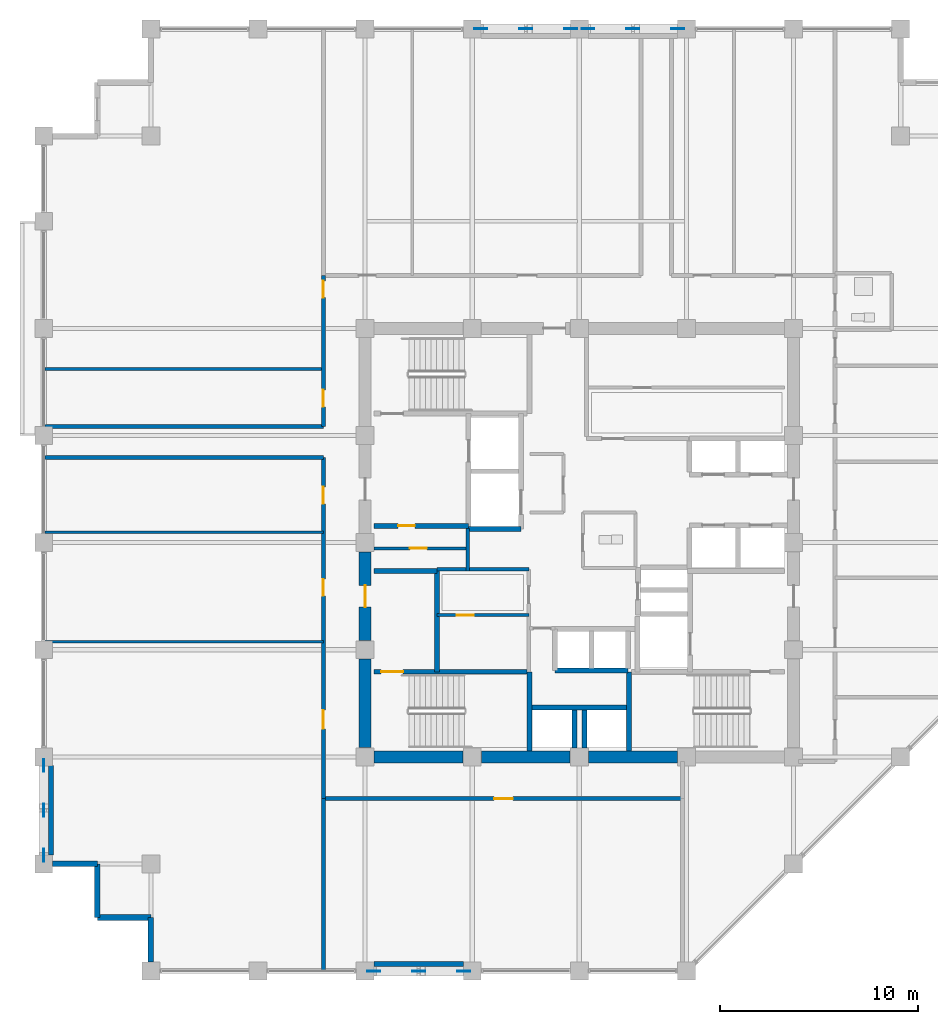
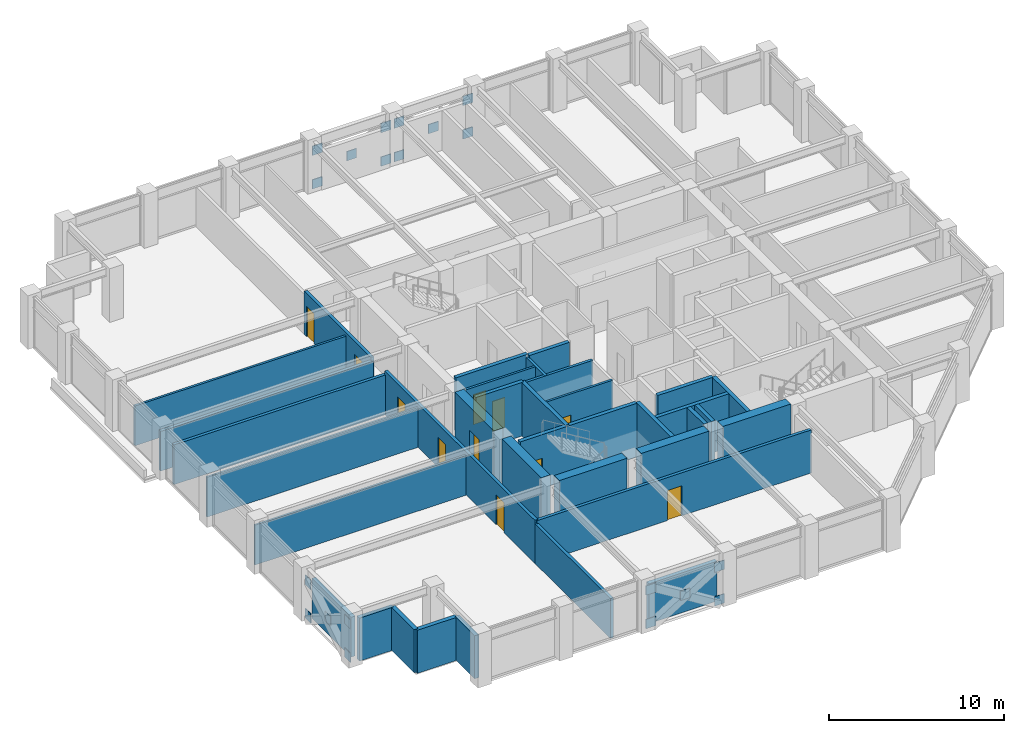
# One storey, part 26 of 31: 35 walls, 20 plates, 11 doors, 11 openings.
"""IFC4 building model written with IfcOpenShell, lengths in metres."""

from ifc_helpers import new_model, si_unit, direction, frame, frame_2d, origin, origin_2d, place, context, subcontext, project, spatial, rectangle, extrude, material, layer, layer_set, type_object, element, fill, save


model = new_model("IFC4")

# Units and contexts
model_context = context("Model", 3, precision=1e-05, world=origin(), true_north=direction((0.0, 1.0)))
body_context = subcontext(model_context, "Body", "Model", "MODEL_VIEW")
ifc_project = project(units=[si_unit("LENGTHUNIT", "METRE"), si_unit("AREAUNIT", "SQUARE_METRE"), si_unit("VOLUMEUNIT", "CUBIC_METRE"), si_unit("PLANEANGLEUNIT", "RADIAN"), si_unit("MASSUNIT", "GRAM", prefix="KILO")], contexts=[model_context])

# Site, building, storey
site_placement = place(None, origin())
site = spatial("IfcSite", under=ifc_project, at=site_placement, CompositionType="ELEMENT")
building_placement = place(site_placement, origin())
building = spatial("IfcBuilding", under=site, at=building_placement, Name="Surkhivell Harbour Commons", CompositionType="ELEMENT")
storey_placement = place(building_placement, frame((0.0, 0.0, 193.5)))
storey = spatial("IfcBuildingStorey", under=building, at=storey_placement, Name="L50", CompositionType="ELEMENT", Elevation=193.5)

# Plates
ifc_material_1 = material(Name="Steel S460", Category="steel")
ifc_layer_1 = layer(ifc_material_1, 0.044921875)
ifc_layer_set_1 = layer_set([ifc_layer_1], Name="Steel S460")
plate_type = type_object("IfcPlateType", Name="PLT-GUS-650", PredefinedType="USERDEFINED", material=ifc_layer_set_1)
for number, where, z_axis, x_axis, name in (
    (1, (-4.965087890625, 25.89990234375, -0.08935546875), (0.0, 0.0, 1.0), (1.0, 0.0, 0.0), "L50 Perimeter Mega-Brace MB- Corner Gusset N-1"),
    (2, (-0.43505859375, 25.89990234375, -0.08935546875), (0.0, 0.0, 1.0), (1.0, 0.0, 0.0), "L50 Perimeter Mega-Brace MB- Corner Gusset N-2"),
    (3, (-4.965087890625, 25.89990234375, 2.25146484375), (0.0, 0.0, 1.0), (1.0, 0.0, 0.0), "L50 Perimeter Mega-Brace MB- Corner Gusset N-3"),
    (4, (-0.43505859375, 25.89990234375, 2.25146484375), (0.0, 0.0, 1.0), (1.0, 0.0, 0.0), "L50 Perimeter Mega-Brace MB- Corner Gusset N-4"),
    (5, (-2.699951171875, 25.89990234375, 1.0810546875), (0.0, 0.0, 1.0), (1.0, 0.0, 0.0), "L50 Perimeter Mega-Brace MB- Central Crossing Gusset N"),
    (6, (0.43505859375, 25.89990234375, -0.08935546875), (0.0, 0.0, 1.0), (1.0, 0.0, 0.0), "L50 Perimeter Mega-Brace MB- Corner Gusset N2-1"),
    (7, (4.965087890625, 25.89990234375, -0.08935546875), (0.0, 0.0, 1.0), (1.0, 0.0, 0.0), "L50 Perimeter Mega-Brace MB- Corner Gusset N2-2"),
    (8, (0.43505859375, 25.89990234375, 2.25146484375), (0.0, 0.0, 1.0), (1.0, 0.0, 0.0), "L50 Perimeter Mega-Brace MB- Corner Gusset N2-3"),
    (9, (4.965087890625, 25.89990234375, 2.25146484375), (0.0, 0.0, 1.0), (1.0, 0.0, 0.0), "L50 Perimeter Mega-Brace MB- Corner Gusset N2-4"),
    (10, (2.699951171875, 25.89990234375, 1.0810546875), (0.0, 0.0, 1.0), (1.0, 0.0, 0.0), "L50 Perimeter Mega-Brace MB- Central Crossing Gusset N2"),
    (11, (-10.364990234375, -21.60009765625, -0.08935546875), (0.0, 0.0, 1.0), (1.0, 0.0, 0.0), "L50 Perimeter Mega-Brace MB- Corner Gusset S-1"),
    (12, (-5.8349609375, -21.60009765625, -0.08935546875), (0.0, 0.0, 1.0), (1.0, 0.0, 0.0), "L50 Perimeter Mega-Brace MB- Corner Gusset S-2"),
    (13, (-10.364990234375, -21.60009765625, 2.25146484375), (0.0, 0.0, 1.0), (1.0, 0.0, 0.0), "L50 Perimeter Mega-Brace MB- Corner Gusset S-3"),
    (14, (-5.8349609375, -21.60009765625, 2.25146484375), (0.0, 0.0, 1.0), (1.0, 0.0, 0.0), "L50 Perimeter Mega-Brace MB- Corner Gusset S-4"),
    (15, (-8.10009765625, -21.60009765625, 1.0810546875), (0.0, 0.0, 1.0), (1.0, 0.0, 0.0), "L50 Perimeter Mega-Brace MB- Central Crossing Gusset S"),
    (16, (-27.0, -15.764892578125, -0.08935546875), (0.0, 0.0, 1.0), (0.0, 1.0, 0.0), "L50 Perimeter Mega-Brace MB- Corner Gusset W-1"),
    (17, (-27.0, -11.235107421875, -0.08935546875), (0.0, 0.0, 1.0), (0.0, 1.0, 0.0), "L50 Perimeter Mega-Brace MB- Corner Gusset W-2"),
    (18, (-27.0, -15.764892578125, 2.25146484375), (0.0, 0.0, 1.0), (0.0, 1.0, 0.0), "L50 Perimeter Mega-Brace MB- Corner Gusset W-3"),
    (19, (-27.0, -11.235107421875, 2.25146484375), (0.0, 0.0, 1.0), (0.0, 1.0, 0.0), "L50 Perimeter Mega-Brace MB- Corner Gusset W-4"),
    (20, (-27.0, -13.5, 1.0810546875), (0.0, 0.0, 1.0), (0.0, 1.0, 0.0), "L50 Perimeter Mega-Brace MB- Central Crossing Gusset W"),
):
    element("IfcPlate", number, at=place(storey_placement, frame(where, z_axis=z_axis, x_axis=x_axis)), inside=storey, type_object=plate_type, Name=name, ObjectType="GUSSET_PLATE", PredefinedType="USERDEFINED", context=body_context, shape_type="SweptSolid", body=[
        extrude(rectangle(XDim=0.64990234375, YDim=0.044921875, at=origin_2d()), origin(), (0.0, 0.0, 1.0), 0.64990234375),
    ])

# Walls
ifc_material_2 = material(Name="Concrete C60/75", Category="concrete")
ifc_layer_2 = layer(ifc_material_2, 0.60009765625)
ifc_layer_set_2 = layer_set([ifc_layer_2], Name="Concrete C60/75")
wall_type_1 = type_object("IfcWallType", Name="WAL-CORE-600", PredefinedType="SHEAR", material=ifc_layer_set_2)
for number, where, z_axis, x_axis, name in (
    (21, (-10.340087890625, -10.800048828125, 0.0), (0.0, 0.0, 1.0), (1.0, 0.0, 0.0), "L50 Core Shear Wall South 1"),
    (22, (-10.800048828125, -10.340087890625, 0.0), (0.0, 0.0, 1.0), (0.0, 1.0, 0.0), "L50 Core Shear Wall West 1"),
    (23, (-4.93994140625, -10.800048828125, 0.0), (0.0, 0.0, 1.0), (1.0, 0.0, 0.0), "L50 Core Shear Wall South 2"),
):
    element("IfcWall", number, at=place(storey_placement, frame(where, z_axis=z_axis, x_axis=x_axis)), inside=storey, type_object=wall_type_1, Name=name, PredefinedType="SHEAR", context=body_context, shape_type="SweptSolid", body=[
        extrude(rectangle(XDim=4.47998046875, YDim=0.60009765625, at=frame_2d((2.239990234375, 0.0))), origin(), (0.0, 0.0, 1.0), 3.75),
    ])

# Wall, opening, door
wall_1_placement = place(storey_placement, frame((-10.800048828125, -4.93994140625, 0.0), z_axis=(0.0, 0.0, 1.0), x_axis=(0.0, 1.0, 0.0)))
wall_1 = element("IfcWall", 24, at=wall_1_placement, inside=storey, type_object=wall_type_1, Name="L50 Core Shear Wall West 2", PredefinedType="SHEAR", context=body_context, shape_type="SweptSolid", body=[
    extrude(rectangle(XDim=4.47998046875, YDim=0.60009765625, at=frame_2d((2.239990234375, 0.0))), origin(), (0.0, 0.0, 1.0), 3.75),
])
opening_1_placement = place(wall_1_placement, frame((1.68994140625, 0.0, 0.0)))
opening_1 = element("IfcOpeningElement", 25, at=opening_1_placement, cuts=wall_1, Name="Opening ID-2", PredefinedType="OPENING", context=body_context, shape_type="SweptSolid", body=[
    extrude(rectangle(XDim=1.10009765625, YDim=2.10009765625, at=frame_2d((0.550048828125, 1.050048828125))), frame((0.0, 0.31005859375, 0.0), z_axis=(0.0, -1.0, 0.0), x_axis=(1.0, 0.0, 0.0)), (0.0, 0.0, 1.0), 0.6201171875),
])
ifc_material_3 = material(Name="Hardwood-veneered fire-rated door leaf", Category="wood")
door_type_1 = type_object("IfcDoorType", Name="DOR-FD60-1100", OperationType="NOTDEFINED", PredefinedType="DOOR", material=ifc_material_3)
door_1_placement = place(opening_1_placement, origin())
door_1 = element("IfcDoor", 26, at=door_1_placement, inside=storey, type_object=door_type_1, Name="L50 Stair 3 Lobby Corridor Door", OperationType="SINGLE_SWING_LEFT", OverallHeight=2.10009765625, OverallWidth=1.10009765625, PredefinedType="DOOR", context=body_context, shape_type="SweptSolid", body=[
    extrude(rectangle(XDim=1.10009765625, YDim=2.10009765625, at=frame_2d((0.550048828125, 1.050048828125))), frame((0.0, 0.02490234375, 0.0), z_axis=(0.0, -1.0, 0.0), x_axis=(1.0, 0.0, 0.0)), (0.0, 0.0, 1.0), 0.050048828125),
])
fill(opening_1, door_1)

# Walls
wall_2_placement = place(storey_placement, frame((0.4599609375, -10.800048828125, 0.0), z_axis=(0.0, 0.0, 1.0), x_axis=(1.0, 0.0, 0.0)))
element("IfcWall", 27, at=wall_2_placement, inside=storey, type_object=wall_type_1, Name="L50 Core Shear Wall South 3", PredefinedType="SHEAR", context=body_context, shape_type="SweptSolid", body=[
    extrude(rectangle(XDim=4.47998046875, YDim=0.60009765625, at=frame_2d((2.239990234375, 0.0))), origin(), (0.0, 0.0, 1.0), 3.75),
])
ifc_material_4 = material(Name="Pale-metal insulated precast concrete C45/55", Category="concrete")
ifc_layer_3 = layer(ifc_material_4, 0.260009765625)
ifc_layer_set_3 = layer_set([ifc_layer_3], Name="Pale-metal insulated precast concrete C45/55")
wall_type_2 = type_object("IfcWallType", Name="WAL-EXT-MTL260", PredefinedType="STANDARD", material=ifc_layer_set_3)
wall_3_placement = place(storey_placement, frame((-10.35205078125, -21.239990234375, 0.0), z_axis=(0.0, 0.0, 1.0), x_axis=(1.0, 0.0, 0.0)))
element("IfcWall", 28, at=wall_3_placement, inside=storey, type_object=wall_type_2, Name="L50 Braced-Bay Insulated Spandrel Backing S", PredefinedType="STANDARD", context=body_context, shape_type="SweptSolid", body=[
    extrude(rectangle(XDim=4.504150390625, YDim=0.260009765625, at=frame_2d((2.251953125, 0.0))), origin(), (0.0, 0.0, 1.0), 2.780029296875),
])
wall_4_placement = place(storey_placement, frame((-26.639892578125, -11.248046875, 0.0), z_axis=(0.0, 0.0, 1.0), x_axis=(0.0, -1.0, 0.0)))
element("IfcWall", 29, at=wall_4_placement, inside=storey, type_object=wall_type_2, Name="L50 Braced-Bay Insulated Spandrel Backing W", PredefinedType="STANDARD", context=body_context, shape_type="SweptSolid", body=[
    extrude(rectangle(XDim=4.50390625, YDim=0.260009765625, at=frame_2d((2.251953125, 0.0))), origin(), (0.0, 0.0, 1.0), 2.780029296875),
])
ifc_material_5 = material(Name="Terracotta-clad reinforced concrete C45/55", Category="masonry")
ifc_layer_4 = layer(ifc_material_5, 0.280029296875)
ifc_layer_set_4 = layer_set([ifc_layer_4], Name="Terracotta-clad reinforced concrete C45/55")
wall_type_3 = type_object("IfcWallType", Name="WAL-EXT-TER280", PredefinedType="STANDARD", material=ifc_layer_set_4)
wall_5_placement = place(storey_placement, frame((-26.552001953125, -16.199951171875, 0.0), z_axis=(0.0, 0.0, 1.0), x_axis=(1.0, 0.0, 0.0)))
element("IfcWall", 30, at=wall_5_placement, inside=storey, type_object=wall_type_3, Name="L50 Serrated Corner Facade Wall 13", PredefinedType="STANDARD", context=body_context, shape_type="SweptSolid", body=[
    extrude(rectangle(XDim=2.251953125, YDim=0.280029296875, at=frame_2d((1.1259765625, 0.0))), origin(), (0.0, 0.0, 1.0), 3.006103515625),
])
for number, where, z_axis, x_axis, name in (
    (31, (-24.300048828125, -16.199951171875, 0.0), (0.0, 0.0, 1.0), (0.0, -1.0, 0.0), "L50 Serrated Corner Facade Wall 14"),
    (32, (-24.300048828125, -18.89990234375, 0.0), (0.0, 0.0, 1.0), (1.0, 0.0, 0.0), "L50 Serrated Corner Facade Wall 15"),
):
    element("IfcWall", number, at=place(storey_placement, frame(where, z_axis=z_axis, x_axis=x_axis)), inside=storey, type_object=wall_type_3, Name=name, PredefinedType="STANDARD", context=body_context, shape_type="SweptSolid", body=[
        extrude(rectangle(XDim=2.699951171875, YDim=0.280029296875, at=frame_2d((1.35009765625, 0.0))), origin(), (0.0, 0.0, 1.0), 3.006103515625),
    ])
wall_6_placement = place(storey_placement, frame((-21.60009765625, -18.89990234375, 0.0), z_axis=(0.0, 0.0, 1.0), x_axis=(0.0, -1.0, 0.0)))
element("IfcWall", 33, at=wall_6_placement, inside=storey, type_object=wall_type_3, Name="L50 Serrated Corner Facade Wall 16", PredefinedType="STANDARD", context=body_context, shape_type="SweptSolid", body=[
    extrude(rectangle(XDim=2.252197265625, YDim=0.280029296875, at=frame_2d((1.1259765625, 0.0))), origin(), (0.0, 0.0, 1.0), 3.006103515625),
])
ifc_material_6 = material(Name="Moisture-resistant acoustic stud partition", Category="other")
ifc_layer_5 = layer(ifc_material_6, 0.125)
ifc_layer_set_5 = layer_set([ifc_layer_5], Name="Moisture-resistant acoustic stud partition")
wall_type_4 = type_object("IfcWallType", Name="WAL-INT-125", PredefinedType="PARTITIONING", material=ifc_layer_set_5)
for number, where, z_axis, x_axis, name in (
    (34, (-26.93994140625, -4.989990234375, 0.0), (0.0, 0.0, 1.0), (1.0, 0.0, 0.0), "L50 South-West Partition P1"),
    (35, (-26.93994140625, 0.52001953125, 0.0), (0.0, 0.0, 1.0), (1.0, 0.0, 0.0), "L50 South-West Partition P2"),
):
    element("IfcWall", number, at=place(storey_placement, frame(where, z_axis=z_axis, x_axis=x_axis)), inside=storey, type_object=wall_type_4, Name=name, PredefinedType="PARTITIONING", context=body_context, shape_type="SweptSolid", body=[
        extrude(rectangle(XDim=14.0400390625, YDim=0.125, at=frame_2d((7.02001953125, 0.0))), origin(), (0.0, 0.0, 1.0), 2.780029296875),
    ])

# Wall, opening, door
ifc_material_7 = material(Name="Twin-stud acoustic fireboard partition", Category="other")
ifc_layer_6 = layer(ifc_material_7, 0.14990234375)
ifc_layer_set_6 = layer_set([ifc_layer_6], Name="Twin-stud acoustic fireboard partition")
wall_type_5 = type_object("IfcWallType", Name="WAL-INT-150", PredefinedType="PARTITIONING", material=ifc_layer_set_6)
wall_7_placement = place(storey_placement, frame((-7.179931640625, -3.64990234375, 0.0), z_axis=(0.0, 0.0, 1.0), x_axis=(1.0, 0.0, 0.0)))
wall_7 = element("IfcWall", 36, at=wall_7_placement, inside=storey, type_object=wall_type_5, Name="L50 Core Cut C1 Partition", PredefinedType="PARTITIONING", context=body_context, shape_type="SweptSolid", body=[
    extrude(rectangle(XDim=4.6298828125, YDim=0.14990234375, at=frame_2d((2.31494140625, 0.0))), origin(), (0.0, 0.0, 1.0), 3.570068359375),
])
opening_2_placement = place(wall_7_placement, frame((1.0, 0.0, 0.0)))
opening_2 = element("IfcOpeningElement", 37, at=opening_2_placement, cuts=wall_7, Name="Opening ID-6", PredefinedType="OPENING", context=body_context, shape_type="SweptSolid", body=[
    extrude(rectangle(XDim=0.85009765625, YDim=2.10009765625, at=frame_2d((0.425048828125, 1.050048828125))), frame((0.0, 0.0849609375, 0.0), z_axis=(0.0, -1.0, 0.0), x_axis=(1.0, 0.0, 0.0)), (0.0, 0.0, 1.0), 0.169921875),
])
door_type_2 = type_object("IfcDoorType", Name="DOR-FD30-850", OperationType="NOTDEFINED", PredefinedType="DOOR", material=ifc_material_3)
door_2_placement = place(opening_2_placement, origin())
door_2 = element("IfcDoor", 38, at=door_2_placement, inside=storey, type_object=door_type_2, Name="L50 Cleaner Room Door", OperationType="SINGLE_SWING_LEFT", OverallHeight=2.10009765625, OverallWidth=0.85009765625, PredefinedType="DOOR", context=body_context, shape_type="SweptSolid", body=[
    extrude(rectangle(XDim=0.85009765625, YDim=2.10009765625, at=frame_2d((0.425048828125, 1.050048828125))), frame((0.0, 0.02490234375, 0.0), z_axis=(0.0, -1.0, 0.0), x_axis=(1.0, 0.0, 0.0)), (0.0, 0.0, 1.0), 0.050048828125),
])
fill(opening_2, door_2)

wall_8_placement = place(storey_placement, frame((-10.340087890625, -0.2900390625, 0.0), z_axis=(0.0, 0.0, 1.0), x_axis=(1.0, 0.0, 0.0)))
wall_8 = element("IfcWall", 39, at=wall_8_placement, inside=storey, type_object=wall_type_5, Name="L50 West Core Horizontal Cut", PredefinedType="PARTITIONING", context=body_context, shape_type="SweptSolid", body=[
    extrude(rectangle(XDim=4.719970703125, YDim=0.14990234375, at=frame_2d((2.35986328125, 0.0))), origin(), (0.0, 0.0, 1.0), 3.570068359375),
])
opening_3_placement = place(wall_8_placement, frame((1.800048828125, 0.0, 0.0)))
opening_3 = element("IfcOpeningElement", 40, at=opening_3_placement, cuts=wall_8, Name="Opening ID-6", PredefinedType="OPENING", context=body_context, shape_type="SweptSolid", body=[
    extrude(rectangle(XDim=0.85009765625, YDim=2.10009765625, at=frame_2d((0.425048828125, 1.050048828125))), frame((0.0, 0.0849609375, 0.0), z_axis=(0.0, -1.0, 0.0), x_axis=(1.0, 0.0, 0.0)), (0.0, 0.0, 1.0), 0.169921875),
])
door_3_placement = place(opening_3_placement, origin())
door_3 = element("IfcDoor", 41, at=door_3_placement, inside=storey, type_object=door_type_2, Name="L50 West Music Pod Door", OperationType="SINGLE_SWING_RIGHT", OverallHeight=2.10009765625, OverallWidth=0.85009765625, PredefinedType="DOOR", context=body_context, shape_type="SweptSolid", body=[
    extrude(rectangle(XDim=0.85009765625, YDim=2.10009765625, at=frame_2d((0.425048828125, 1.050048828125))), frame((0.0, 0.02490234375, 0.0), z_axis=(0.0, -1.0, 0.0), x_axis=(1.0, 0.0, 0.0)), (0.0, 0.0, 1.0), 0.050048828125),
])
fill(opening_3, door_3)

# Walls
wall_9_placement = place(storey_placement, frame((-26.93994140625, 8.75, 0.0), z_axis=(0.0, 0.0, 1.0), x_axis=(1.0, 0.0, 0.0)))
element("IfcWall", 42, at=wall_9_placement, inside=storey, type_object=wall_type_5, Name="L50 North-West Partition P1", PredefinedType="PARTITIONING", context=body_context, shape_type="SweptSolid", body=[
    extrude(rectangle(XDim=14.0400390625, YDim=0.14990234375, at=frame_2d((7.02001953125, 0.0))), origin(), (0.0, 0.0, 1.0), 2.780029296875),
])
ifc_material_8 = material(Name="High-density acoustic blockwork fire partition", Category="masonry")
ifc_layer_7 = layer(ifc_material_8, 0.175048828125)
ifc_layer_set_7 = layer_set([ifc_layer_7], Name="High-density acoustic blockwork fire partition")
wall_type_6 = type_object("IfcWallType", Name="WAL-INT-175", PredefinedType="PARTITIONING", material=ifc_layer_set_7)
wall_10_placement = place(storey_placement, frame((-7.179931640625, -1.35009765625, 0.0), z_axis=(0.0, 0.0, 1.0), x_axis=(1.0, 0.0, 0.0)))
element("IfcWall", 43, at=wall_10_placement, inside=storey, type_object=wall_type_6, Name="L50 Core Service Bay North Wall", PredefinedType="PARTITIONING", context=body_context, shape_type="SweptSolid", body=[
    extrude(rectangle(XDim=4.6298828125, YDim=0.175048828125, at=frame_2d((2.31494140625, 0.0))), origin(), (0.0, 0.0, 1.0), 3.570068359375),
])
wall_11_placement = place(storey_placement, frame((-5.6201171875, -1.419921875, 0.0), z_axis=(0.0, 0.0, 1.0), x_axis=(0.0, 1.0, 0.0)))
element("IfcWall", 44, at=wall_11_placement, inside=storey, type_object=wall_type_6, Name="L50 West Core Bay East Wall", PredefinedType="PARTITIONING", context=body_context, shape_type="SweptSolid", body=[
    extrude(rectangle(XDim=2.139892578125, YDim=0.175048828125, at=frame_2d((1.06982421875, 0.0))), origin(), (0.0, 0.0, 1.0), 3.570068359375),
])
ifc_material_9 = material(Name="Autoclaved aerated concrete blockwork and fire plaster", Category="masonry")
ifc_layer_8 = layer(ifc_material_9, 0.199951171875)
ifc_layer_set_8 = layer_set([ifc_layer_8], Name="Autoclaved aerated concrete blockwork and fire plaster")
wall_type_7 = type_object("IfcWallType", Name="WAL-INT-200", PredefinedType="PARTITIONING", material=ifc_layer_set_8)
wall_12_placement = place(storey_placement, frame((-12.89990234375, -21.5400390625, 0.0), z_axis=(0.0, 0.0, 1.0), x_axis=(0.0, 1.0, 0.0)))
element("IfcWall", 45, at=wall_12_placement, inside=storey, type_object=wall_type_7, Name="L50 South-West Corner Wall", PredefinedType="PARTITIONING", context=body_context, shape_type="SweptSolid", body=[
    extrude(rectangle(XDim=8.64013671875, YDim=0.199951171875, at=frame_2d((4.320068359375, 0.0))), origin(), (0.0, 0.0, 1.0), 2.780029296875),
])

# Wall, opening, door
wall_13_placement = place(storey_placement, frame((-12.89990234375, -12.89990234375, 0.0), z_axis=(0.0, 0.0, 1.0), x_axis=(1.0, 0.0, 0.0)))
wall_13 = element("IfcWall", 46, at=wall_13_placement, inside=storey, type_object=wall_type_7, Name="L50 Corridor South Wall", PredefinedType="PARTITIONING", context=body_context, shape_type="SweptSolid", body=[
    extrude(rectangle(XDim=18.099853515625, YDim=0.199951171875, at=frame_2d((9.0498046875, 0.0))), origin(), (0.0, 0.0, 1.0), 3.006103515625),
])
opening_4_placement = place(wall_13_placement, frame((8.60009765625, 0.0, 0.0)))
opening_4 = element("IfcOpeningElement", 47, at=opening_4_placement, cuts=wall_13, Name="Opening ID-4", PredefinedType="OPENING", context=body_context, shape_type="SweptSolid", body=[
    extrude(rectangle(XDim=0.949951171875, YDim=2.10009765625, at=frame_2d((0.47509765625, 1.050048828125))), frame((0.0, 0.10986328125, 0.0), z_axis=(0.0, -1.0, 0.0), x_axis=(1.0, 0.0, 0.0)), (0.0, 0.0, 1.0), 0.219970703125),
])
door_type_3 = type_object("IfcDoorType", Name="DOR-FD60-950", OperationType="NOTDEFINED", PredefinedType="DOOR", material=ifc_material_3)
door_4_placement = place(opening_4_placement, origin())
door_4 = element("IfcDoor", 48, at=door_4_placement, inside=storey, type_object=door_type_3, Name="L50 Harbour Social Lounge South Door", OperationType="SINGLE_SWING_LEFT", OverallHeight=2.10009765625, OverallWidth=0.949951171875, PredefinedType="DOOR", context=body_context, shape_type="SweptSolid", body=[
    extrude(rectangle(XDim=0.949951171875, YDim=2.10009765625, at=frame_2d((0.47509765625, 1.050048828125))), frame((0.0, 0.02490234375, 0.0), z_axis=(0.0, -1.0, 0.0), x_axis=(1.0, 0.0, 0.0)), (0.0, 0.0, 1.0), 0.050048828125),
])
fill(opening_4, door_4)

# Walls
for number, where, z_axis, x_axis, name in (
    (49, (-26.93994140625, 5.85009765625, 0.0), (0.0, 0.0, 1.0), (1.0, 0.0, 0.0), "L50 West Spur North Wall"),
    (50, (-26.93994140625, 4.300048828125, 0.0), (0.0, 0.0, 1.0), (1.0, 0.0, 0.0), "L50 West Spur South Wall"),
):
    element("IfcWall", number, at=place(storey_placement, frame(where, z_axis=z_axis, x_axis=x_axis)), inside=storey, type_object=wall_type_7, Name=name, PredefinedType="PARTITIONING", context=body_context, shape_type="SweptSolid", body=[
        extrude(rectangle(XDim=14.0400390625, YDim=0.199951171875, at=frame_2d((7.02001953125, 0.0))), origin(), (0.0, 0.0, 1.0), 2.780029296875),
    ])

# Wall, openings, doors
wall_14_placement = place(storey_placement, frame((-12.89990234375, 5.85009765625, 0.0), z_axis=(0.0, 0.0, 1.0), x_axis=(0.0, 1.0, 0.0)))
wall_14 = element("IfcWall", 51, at=wall_14_placement, inside=storey, type_object=wall_type_7, Name="L50 Corridor West-Upper Wall", PredefinedType="PARTITIONING", context=body_context, shape_type="SweptSolid", body=[
    extrude(rectangle(XDim=7.6298828125, YDim=0.199951171875, at=frame_2d((3.81494140625, 0.0))), origin(), (0.0, 0.0, 1.0), 3.006103515625),
])
opening_5_placement = place(wall_14_placement, frame((1.0, 0.0, 0.0)))
opening_5 = element("IfcOpeningElement", 52, at=opening_5_placement, cuts=wall_14, Name="Opening ID-6", PredefinedType="OPENING", context=body_context, shape_type="SweptSolid", body=[
    extrude(rectangle(XDim=0.85009765625, YDim=2.10009765625, at=frame_2d((0.425048828125, 1.050048828125))), frame((0.0, 0.10986328125, 0.0), z_axis=(0.0, -1.0, 0.0), x_axis=(1.0, 0.0, 0.0)), (0.0, 0.0, 1.0), 0.219970703125),
])
opening_6_placement = place(wall_14_placement, frame((6.5, 0.0, 0.0)))
opening_6 = element("IfcOpeningElement", 53, at=opening_6_placement, cuts=wall_14, Name="Opening ID-6", PredefinedType="OPENING", context=body_context, shape_type="SweptSolid", body=[
    extrude(rectangle(XDim=0.85009765625, YDim=2.10009765625, at=frame_2d((0.425048828125, 1.050048828125))), frame((0.0, 0.10986328125, 0.0), z_axis=(0.0, -1.0, 0.0), x_axis=(1.0, 0.0, 0.0)), (0.0, 0.0, 1.0), 0.219970703125),
])
door_5_placement = place(opening_5_placement, origin())
door_5 = element("IfcDoor", 54, at=door_5_placement, inside=storey, type_object=door_type_2, Name="L50 Harbour Reading Library North-West Door", OperationType="SINGLE_SWING_RIGHT", OverallHeight=2.10009765625, OverallWidth=0.85009765625, PredefinedType="DOOR", context=body_context, shape_type="SweptSolid", body=[
    extrude(rectangle(XDim=0.85009765625, YDim=2.10009765625, at=frame_2d((0.425048828125, 1.050048828125))), frame((0.0, 0.02490234375, 0.0), z_axis=(0.0, -1.0, 0.0), x_axis=(1.0, 0.0, 0.0)), (0.0, 0.0, 1.0), 0.050048828125),
])
fill(opening_5, door_5)
door_6_placement = place(opening_6_placement, origin())
door_6 = element("IfcDoor", 55, at=door_6_placement, inside=storey, type_object=door_type_2, Name="L50 Communal Dining Hall North-West Door", OperationType="SINGLE_SWING_LEFT", OverallHeight=2.10009765625, OverallWidth=0.85009765625, PredefinedType="DOOR", context=body_context, shape_type="SweptSolid", body=[
    extrude(rectangle(XDim=0.85009765625, YDim=2.10009765625, at=frame_2d((0.425048828125, 1.050048828125))), frame((0.0, 0.02490234375, 0.0), z_axis=(0.0, -1.0, 0.0), x_axis=(1.0, 0.0, 0.0)), (0.0, 0.0, 1.0), 0.050048828125),
])
fill(opening_6, door_6)

wall_15_placement = place(storey_placement, frame((-12.89990234375, -12.89990234375, 0.0), z_axis=(0.0, 0.0, 1.0), x_axis=(0.0, 1.0, 0.0)))
wall_15 = element("IfcWall", 56, at=wall_15_placement, inside=storey, type_object=wall_type_7, Name="L50 Corridor West-Lower Wall", PredefinedType="PARTITIONING", context=body_context, shape_type="SweptSolid", body=[
    extrude(rectangle(XDim=17.199951171875, YDim=0.199951171875, at=frame_2d((8.60009765625, 0.0))), origin(), (0.0, 0.0, 1.0), 3.006103515625),
])
opening_7_placement = place(wall_15_placement, frame((3.5048828125, 0.0, 0.0)))
opening_7 = element("IfcOpeningElement", 57, at=opening_7_placement, cuts=wall_15, Name="Opening ID-4", PredefinedType="OPENING", context=body_context, shape_type="SweptSolid", body=[
    extrude(rectangle(XDim=0.949951171875, YDim=2.10009765625, at=frame_2d((0.47509765625, 1.050048828125))), frame((0.0, 0.10986328125, 0.0), z_axis=(0.0, -1.0, 0.0), x_axis=(1.0, 0.0, 0.0)), (0.0, 0.0, 1.0), 0.219970703125),
])
opening_8_placement = place(wall_15_placement, frame((10.215087890625, 0.0, 0.0)))
opening_8 = element("IfcOpeningElement", 58, at=opening_8_placement, cuts=wall_15, Name="Opening ID-6", PredefinedType="OPENING", context=body_context, shape_type="SweptSolid", body=[
    extrude(rectangle(XDim=0.85009765625, YDim=2.10009765625, at=frame_2d((0.425048828125, 1.050048828125))), frame((0.0, 0.10986328125, 0.0), z_axis=(0.0, -1.0, 0.0), x_axis=(1.0, 0.0, 0.0)), (0.0, 0.0, 1.0), 0.219970703125),
])
opening_9_placement = place(wall_15_placement, frame((14.860107421875, 0.0, 0.0)))
opening_9 = element("IfcOpeningElement", 59, at=opening_9_placement, cuts=wall_15, Name="Opening ID-6", PredefinedType="OPENING", context=body_context, shape_type="SweptSolid", body=[
    extrude(rectangle(XDim=0.85009765625, YDim=2.10009765625, at=frame_2d((0.425048828125, 1.050048828125))), frame((0.0, 0.10986328125, 0.0), z_axis=(0.0, -1.0, 0.0), x_axis=(1.0, 0.0, 0.0)), (0.0, 0.0, 1.0), 0.219970703125),
])
door_7_placement = place(opening_8_placement, origin())
door_7 = element("IfcDoor", 60, at=door_7_placement, inside=storey, type_object=door_type_2, Name="L50 Resident Social Lounge 2 South-West Door", OperationType="SINGLE_SWING_LEFT", OverallHeight=2.10009765625, OverallWidth=0.85009765625, PredefinedType="DOOR", context=body_context, shape_type="SweptSolid", body=[
    extrude(rectangle(XDim=0.85009765625, YDim=2.10009765625, at=frame_2d((0.425048828125, 1.050048828125))), frame((0.0, 0.02490234375, 0.0), z_axis=(0.0, -1.0, 0.0), x_axis=(1.0, 0.0, 0.0)), (0.0, 0.0, 1.0), 0.050048828125),
])
fill(opening_8, door_7)
door_8_placement = place(opening_9_placement, origin())
door_8 = element("IfcDoor", 61, at=door_8_placement, inside=storey, type_object=door_type_2, Name="L50 Resident Social Lounge 3 South-West Door", OperationType="SINGLE_SWING_RIGHT", OverallHeight=2.10009765625, OverallWidth=0.85009765625, PredefinedType="DOOR", context=body_context, shape_type="SweptSolid", body=[
    extrude(rectangle(XDim=0.85009765625, YDim=2.10009765625, at=frame_2d((0.425048828125, 1.050048828125))), frame((0.0, 0.02490234375, 0.0), z_axis=(0.0, -1.0, 0.0), x_axis=(1.0, 0.0, 0.0)), (0.0, 0.0, 1.0), 0.050048828125),
])
fill(opening_9, door_8)
door_9_placement = place(opening_7_placement, origin())
door_9 = element("IfcDoor", 62, at=door_9_placement, inside=storey, type_object=door_type_3, Name="L50 Harbour Social Lounge South-West Door", OperationType="SINGLE_SWING_RIGHT", OverallHeight=2.10009765625, OverallWidth=0.949951171875, PredefinedType="DOOR", context=body_context, shape_type="SweptSolid", body=[
    extrude(rectangle(XDim=0.949951171875, YDim=2.10009765625, at=frame_2d((0.47509765625, 1.050048828125))), frame((0.0, 0.02490234375, 0.0), z_axis=(0.0, -1.0, 0.0), x_axis=(1.0, 0.0, 0.0)), (0.0, 0.0, 1.0), 0.050048828125),
])
fill(opening_7, door_9)

# Wall, opening, door
ifc_material_10 = material(Name="Concrete C50/60", Category="concrete")
ifc_layer_9 = layer(ifc_material_10, 0.25)
ifc_layer_set_9 = layer_set([ifc_layer_9], Name="Concrete C50/60")
wall_type_8 = type_object("IfcWallType", Name="WAL-SHAFT-250", PredefinedType="SHEAR", material=ifc_layer_set_9)
wall_16_placement = place(storey_placement, frame((-10.340087890625, 0.85009765625, 0.0), z_axis=(0.0, 0.0, 1.0), x_axis=(1.0, 0.0, 0.0)))
wall_16 = element("IfcWall", 63, at=wall_16_placement, inside=storey, type_object=wall_type_8, Name="L50 Firefighting Lobby 1 South Wall", PredefinedType="SHEAR", context=body_context, shape_type="SweptSolid", body=[
    extrude(rectangle(XDim=4.760009765625, YDim=0.25, at=frame_2d((2.3798828125, 0.0))), origin(), (0.0, 0.0, 1.0), 3.75),
])
opening_10_placement = place(wall_16_placement, frame((1.199951171875, 0.0, 0.0)))
opening_10 = element("IfcOpeningElement", 64, at=opening_10_placement, cuts=wall_16, Name="Opening ID-6", PredefinedType="OPENING", context=body_context, shape_type="SweptSolid", body=[
    extrude(rectangle(XDim=0.85009765625, YDim=2.10009765625, at=frame_2d((0.425048828125, 1.050048828125))), frame((0.0, 0.135009765625, 0.0), z_axis=(0.0, -1.0, 0.0), x_axis=(1.0, 0.0, 0.0)), (0.0, 0.0, 1.0), 0.27001953125),
])
door_10_placement = place(opening_10_placement, origin())
door_10 = element("IfcDoor", 65, at=door_10_placement, inside=storey, type_object=door_type_2, Name="L50 West Reading Alcove Door", OperationType="SINGLE_SWING_LEFT", OverallHeight=2.10009765625, OverallWidth=0.85009765625, PredefinedType="DOOR", context=body_context, shape_type="SweptSolid", body=[
    extrude(rectangle(XDim=0.85009765625, YDim=2.10009765625, at=frame_2d((0.425048828125, 1.050048828125))), frame((0.0, 0.02490234375, 0.0), z_axis=(0.0, -1.0, 0.0), x_axis=(1.0, 0.0, 0.0)), (0.0, 0.0, 1.0), 0.050048828125),
])
fill(opening_10, door_10)

# Walls
for number, where, z_axis, x_axis, name in (
    (66, (-0.25, -10.35009765625, 0.0), (0.0, 0.0, 1.0), (0.0, 1.0, 0.0), "L50 High-Rise Side Wall S"),
    (67, (0.25, -10.35009765625, 0.0), (0.0, 0.0, 1.0), (0.0, 1.0, 0.0), "L50 High-Rise Side Wall S"),
):
    element("IfcWall", number, at=place(storey_placement, frame(where, z_axis=z_axis, x_axis=x_axis)), inside=storey, type_object=wall_type_8, Name=name, PredefinedType="SHEAR", context=body_context, shape_type="SweptSolid", body=[
        extrude(rectangle(XDim=1.91015625, YDim=0.25, at=frame_2d((0.955078125, 0.0))), origin(), (0.0, 0.0, 1.0), 3.75),
    ])
wall_17_placement = place(storey_placement, frame((-1.219970703125, -6.43994140625, 0.0), z_axis=(0.0, 0.0, 1.0), x_axis=(1.0, 0.0, 0.0)))
element("IfcWall", 68, at=wall_17_placement, inside=storey, type_object=wall_type_8, Name="L50 High-Rise North Front Shaft Wall", PredefinedType="SHEAR", context=body_context, shape_type="SweptSolid", body=[
    extrude(rectangle(XDim=3.669921875, YDim=0.25, at=frame_2d((1.8349609375, 0.0))), origin(), (0.0, 0.0, 1.0), 3.75),
])
wall_18_placement = place(storey_placement, frame((-2.47998046875, -8.320068359375, 0.0), z_axis=(0.0, 0.0, 1.0), x_axis=(1.0, 0.0, 0.0)))
element("IfcWall", 69, at=wall_18_placement, inside=storey, type_object=wall_type_8, Name="L50 High-Rise South Front Shaft Wall", PredefinedType="SHEAR", context=body_context, shape_type="SweptSolid", body=[
    extrude(rectangle(XDim=4.929931640625, YDim=0.25, at=frame_2d((2.46484375, 0.0))), origin(), (0.0, 0.0, 1.0), 3.75),
])
for number, where, z_axis, x_axis, name in (
    (70, (2.510009765625, -10.5, 0.0), (0.0, 0.0, 1.0), (0.0, 1.0, 0.0), "L50 Stair ST2 West Shear Wall"),
    (71, (-2.510009765625, -10.5, 0.0), (0.0, 0.0, 1.0), (0.0, 1.0, 0.0), "L50 Stair ST3 East Shear Wall"),
):
    element("IfcWall", number, at=place(storey_placement, frame(where, z_axis=z_axis, x_axis=x_axis)), inside=storey, type_object=wall_type_8, Name=name, PredefinedType="SHEAR", context=body_context, shape_type="SweptSolid", body=[
        extrude(rectangle(XDim=3.989990234375, YDim=0.25, at=frame_2d((1.9951171875, 0.0))), origin(), (0.0, 0.0, 1.0), 3.75),
    ])
wall_19_placement = place(storey_placement, frame((-7.179931640625, -6.510009765625, 0.0), z_axis=(0.0, 0.0, 1.0), x_axis=(0.0, 1.0, 0.0)))
element("IfcWall", 72, at=wall_19_placement, inside=storey, type_object=wall_type_8, Name="L50 Stair 3 Lobby East Wall", PredefinedType="SHEAR", context=body_context, shape_type="SweptSolid", body=[
    extrude(rectangle(XDim=5.090087890625, YDim=0.25, at=frame_2d((2.544921875, 0.0))), origin(), (0.0, 0.0, 1.0), 3.75),
])
wall_20_placement = place(storey_placement, frame((-10.340087890625, -1.419921875, 0.0), z_axis=(0.0, 0.0, 1.0), x_axis=(1.0, 0.0, 0.0)))
element("IfcWall", 73, at=wall_20_placement, inside=storey, type_object=wall_type_8, Name="L50 Stair 3 Lobby North Wall", PredefinedType="SHEAR", context=body_context, shape_type="SweptSolid", body=[
    extrude(rectangle(XDim=3.16015625, YDim=0.25, at=frame_2d((1.580078125, 0.0))), origin(), (0.0, 0.0, 1.0), 3.75),
])

# Wall, opening, door
wall_21_placement = place(storey_placement, frame((-10.340087890625, -6.510009765625, 0.0), z_axis=(0.0, 0.0, 1.0), x_axis=(1.0, 0.0, 0.0)))
wall_21 = element("IfcWall", 74, at=wall_21_placement, inside=storey, type_object=wall_type_8, Name="L50 Stair ST3 North Shear Wall", PredefinedType="SHEAR", context=body_context, shape_type="SweptSolid", body=[
    extrude(rectangle(XDim=7.7001953125, YDim=0.25, at=frame_2d((3.85009765625, 0.0))), origin(), (0.0, 0.0, 1.0), 3.75),
])
opening_11_placement = place(wall_21_placement, frame((0.35009765625, 0.0, 0.0)))
opening_11 = element("IfcOpeningElement", 75, at=opening_11_placement, cuts=wall_21, Name="Opening ID-2", PredefinedType="OPENING", context=body_context, shape_type="SweptSolid", body=[
    extrude(rectangle(XDim=1.10009765625, YDim=2.10009765625, at=frame_2d((0.550048828125, 1.050048828125))), frame((0.0, 0.135009765625, 0.0), z_axis=(0.0, -1.0, 0.0), x_axis=(1.0, 0.0, 0.0)), (0.0, 0.0, 1.0), 0.27001953125),
])
door_11_placement = place(opening_11_placement, origin())
door_11 = element("IfcDoor", 76, at=door_11_placement, inside=storey, type_object=door_type_1, Name="L50 Stair ST3 Exit Door", OperationType="SINGLE_SWING_RIGHT", OverallHeight=2.10009765625, OverallWidth=1.10009765625, PredefinedType="DOOR", context=body_context, shape_type="SweptSolid", body=[
    extrude(rectangle(XDim=1.10009765625, YDim=2.10009765625, at=frame_2d((0.550048828125, 1.050048828125))), frame((0.0, 0.02490234375, 0.0), z_axis=(0.0, -1.0, 0.0), x_axis=(1.0, 0.0, 0.0)), (0.0, 0.0, 1.0), 0.050048828125),
])
fill(opening_11, door_11)

# Wall
wall_22_placement = place(storey_placement, frame((-5.580078125, 0.679931640625, 0.0), z_axis=(0.0, 0.0, 1.0), x_axis=(1.0, 0.0, 0.0)))
element("IfcWall", 77, at=wall_22_placement, inside=storey, type_object=wall_type_8, Name="L50 SVL1 South Shaft Wall", PredefinedType="SHEAR", context=body_context, shape_type="SweptSolid", body=[
    extrude(rectangle(XDim=2.650146484375, YDim=0.25, at=frame_2d((1.3251953125, 0.0))), origin(), (0.0, 0.0, 1.0), 3.75),
])

save(model, "model.ifc")
